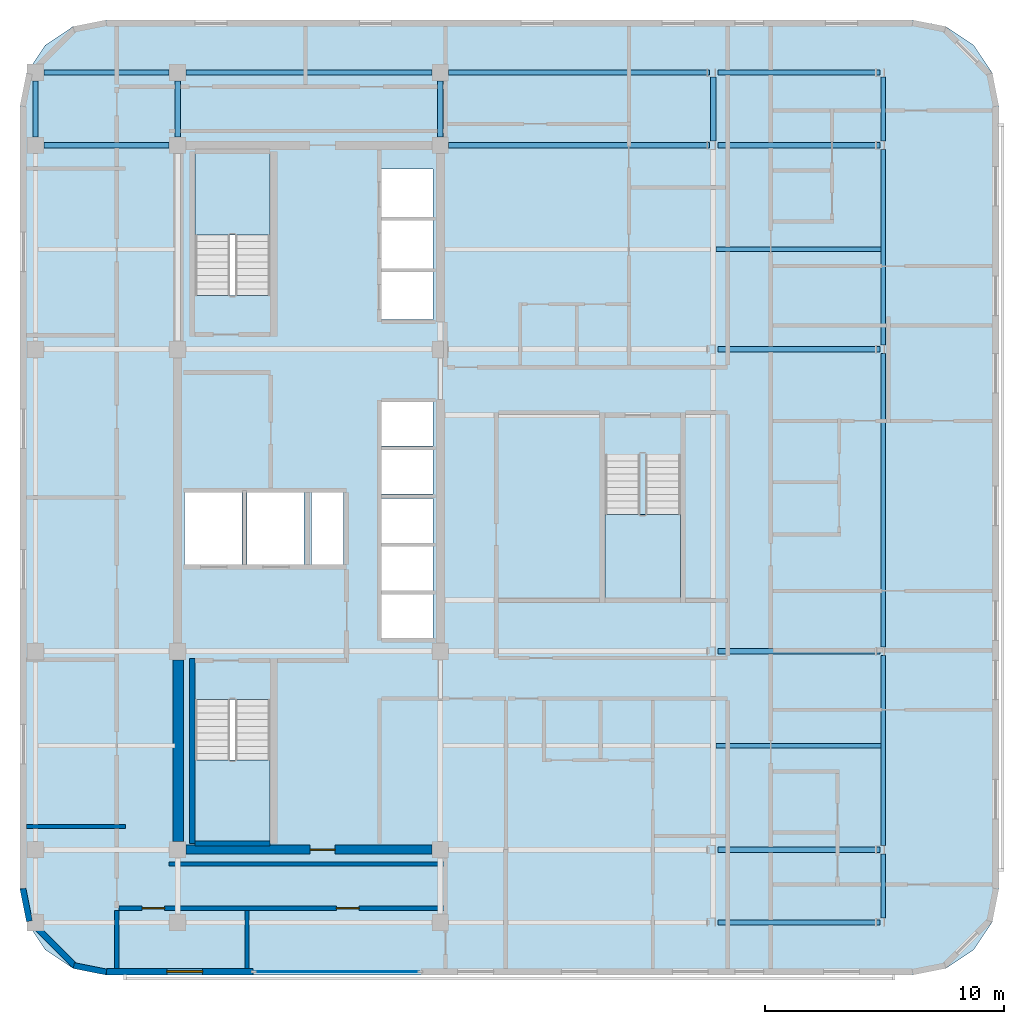
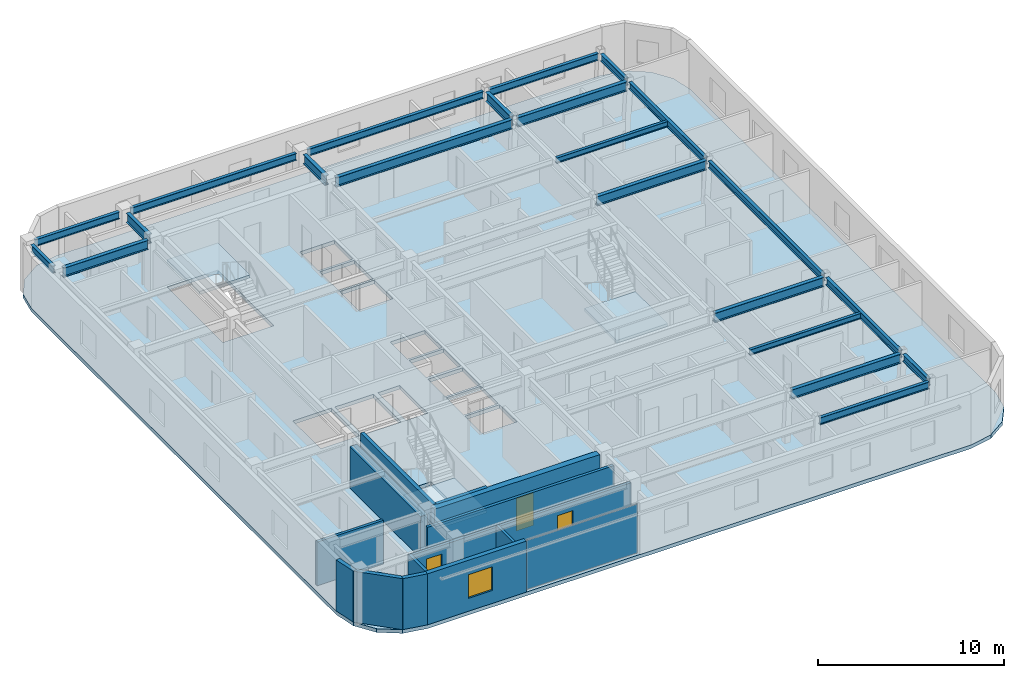
# One storey, part 3 of 11: 22 beams, 13 walls, 4 slabs, 3 doors, 1 plate, 1 window, 4 openings, 4 elements without a shape of their own.
"""IFC4 building model written with IfcOpenShell, lengths in metres."""

from ifc_helpers import new_model, si_unit, direction, frame, frame_2d, origin, origin_2d, place, context, subcontext, project, spatial, polyline, rectangle, i_section, outline, extrude, material, layer, layer_set, material_profile, profile_set, type_object, element, fill, aggregate, save


model = new_model("IFC4")

# Units and contexts
model_context = context("Model", 3, precision=1e-05, world=origin(), true_north=direction((0.0, 1.0)))
body_context = subcontext(model_context, "Body", "Model", "MODEL_VIEW")
ifc_project = project(units=[si_unit("LENGTHUNIT", "METRE"), si_unit("AREAUNIT", "SQUARE_METRE"), si_unit("VOLUMEUNIT", "CUBIC_METRE"), si_unit("PLANEANGLEUNIT", "RADIAN"), si_unit("MASSUNIT", "GRAM", prefix="KILO")], contexts=[model_context])

# Site, building, storey
site_placement = place(None, origin())
site = spatial("IfcSite", under=ifc_project, at=site_placement, CompositionType="ELEMENT")
building_placement = place(site_placement, origin())
building = spatial("IfcBuilding", under=site, at=building_placement, Name="Ochreholt Gables", CompositionType="ELEMENT")
storey_placement = place(building_placement, frame((0.0, 0.0, 188.39990234375)))
storey = spatial("IfcBuildingStorey", under=building, at=storey_placement, Name="L49", CompositionType="ELEMENT", Elevation=188.39990234375)

# Beams
ifc_material_1 = material(Name="Steel CSA G40.21 350W", Category="steel")
ifc_material_profile_1 = material_profile(ifc_material_1, i_section(OverallWidth=0.22900390625, OverallDepth=0.612060546875, WebThickness=0.011962890625, FlangeThickness=0.01953125, at=origin_2d()), Name="W610X125")
ifc_profile_set_1 = profile_set([ifc_material_profile_1], Name="Steel CSA G40.21 350W")
beam_type_1 = type_object("IfcBeamType", Name="BM-G-W610B", PredefinedType="BEAM", material=ifc_profile_set_1)
for number, where, z_axis, x_axis, name in (
    (1, (46.83349609375, 9.25, 3.044189453125), (1.0, 0.0, 0.0), (0.0, 1.0, 0.0), "L49 Beam TBG-L49-EMEE-Y2"),
    (2, (46.83349609375, 17.550048828125, 3.044189453125), (1.0, 0.0, 0.0), (0.0, 1.0, 0.0), "L49 Beam TBG-L49-EMEE-Y3"),
    (3, (46.83349609375, 30.199951171875, 3.044189453125), (1.0, 0.0, 0.0), (0.0, 1.0, 0.0), "L49 Beam TBG-L49-EMEE-Y4"),
):
    element("IfcBeam", number, at=place(storey_placement, frame(where, z_axis=z_axis, x_axis=x_axis)), inside=storey, type_object=beam_type_1, Name=name, PredefinedType="BEAM", context=body_context, shape_type="SweptSolid", body=[
        extrude(i_section(OverallWidth=0.22900390625, OverallDepth=0.612060546875, WebThickness=0.011962890625, FlangeThickness=0.01953125, at=origin_2d()), origin(), (0.0, 0.0, 1.0), 6.78173828125),
    ])
beam_1_placement = place(storey_placement, frame((18.599609375, 38.75, 3.044189453125), z_axis=(1.0, 0.0, 0.0), x_axis=(0.0, 1.0, 0.0)))
element("IfcBeam", 4, at=beam_1_placement, inside=storey, type_object=beam_type_1, Name="L49 Beam TBG-L49-W3C1-Y5", PredefinedType="BEAM", context=body_context, shape_type="SweptSolid", body=[
    extrude(i_section(OverallWidth=0.22900390625, OverallDepth=0.612060546875, WebThickness=0.011962890625, FlangeThickness=0.01953125, at=origin_2d()), origin(), (0.0, 0.0, 1.0), 5.250732421875),
])
beam_2_placement = place(storey_placement, frame((35.549560546875, 38.75, 3.044189453125), z_axis=(1.0, 0.0, 0.0), x_axis=(0.0, 1.0, 0.0)))
element("IfcBeam", 5, at=beam_2_placement, inside=storey, type_object=beam_type_1, Name="L49 Beam TBG-L49-C2EM-Y5", PredefinedType="BEAM", context=body_context, shape_type="SweptSolid", body=[
    extrude(i_section(OverallWidth=0.22900390625, OverallDepth=0.612060546875, WebThickness=0.011962890625, FlangeThickness=0.01953125, at=origin_2d()), origin(), (0.0, 0.0, 1.0), 10.928955078125),
])
beam_3_placement = place(storey_placement, frame((46.83349609375, 38.75, 3.044189453125), z_axis=(1.0, 0.0, 0.0), x_axis=(0.0, 1.0, 0.0)))
element("IfcBeam", 6, at=beam_3_placement, inside=storey, type_object=beam_type_1, Name="L49 Beam TBG-L49-EMEE-Y5", PredefinedType="BEAM", context=body_context, shape_type="SweptSolid", body=[
    extrude(i_section(OverallWidth=0.22900390625, OverallDepth=0.612060546875, WebThickness=0.011962890625, FlangeThickness=0.01953125, at=origin_2d()), origin(), (0.0, 0.0, 1.0), 6.78173828125),
])
for number, where, z_axis, x_axis, name in (
    (7, (24.199951171875, 39.099609375, 3.044189453125), (0.0, 1.0, 0.0), (-1.0, 0.0, 0.0), "L49 Beam TBN-L49-C1-Y5Y6"),
    (8, (35.199951171875, 39.099609375, 3.044189453125), (0.0, 1.0, 0.0), (-1.0, 0.0, 0.0), "L49 Beam TBN-L49-C2-Y5Y6"),
):
    element("IfcBeam", number, at=place(storey_placement, frame(where, z_axis=z_axis, x_axis=x_axis)), inside=storey, type_object=beam_type_1, Name=name, PredefinedType="BEAM", context=body_context, shape_type="SweptSolid", body=[
        extrude(i_section(OverallWidth=0.22900390625, OverallDepth=0.612060546875, WebThickness=0.011962890625, FlangeThickness=0.01953125, at=origin_2d()), origin(), (0.0, 0.0, 1.0), 2.350830078125),
    ])
beam_4_placement = place(storey_placement, frame((46.638427734375, 38.927490234375, 3.044189453125), z_axis=(0.0, 1.0, 0.0), x_axis=(-1.0, 0.0, 0.0)))
element("IfcBeam", 9, at=beam_4_placement, inside=storey, type_object=beam_type_1, Name="L49 Beam TBN-L49-EM-Y5Y6", PredefinedType="BEAM", context=body_context, shape_type="SweptSolid", body=[
    extrude(i_section(OverallWidth=0.22900390625, OverallDepth=0.612060546875, WebThickness=0.011962890625, FlangeThickness=0.01953125, at=origin_2d()), origin(), (0.0, 0.0, 1.0), 2.69482421875),
])
ifc_material_profile_2 = material_profile(ifc_material_1, i_section(OverallWidth=0.172119140625, OverallDepth=0.35791015625, WebThickness=0.0078125, FlangeThickness=0.01318359375, at=origin_2d()), Name="W360X57")
ifc_profile_set_2 = profile_set([ifc_material_profile_2], Name="Steel CSA G40.21 350W")
beam_type_2 = type_object("IfcBeamType", Name="BM-J-W360B", PredefinedType="JOIST", material=ifc_profile_set_2)
for number, where, z_axis, x_axis, name in (
    (10, (46.752685546875, 13.60009765625, 3.171142578125), (1.0, 0.0, 0.0), (0.0, 1.0, 0.0), "L49 Beam TBJ-L49-J1-EMEE"),
    (11, (46.752685546875, 34.39990234375, 3.171142578125), (1.0, 0.0, 0.0), (0.0, 1.0, 0.0), "L49 Beam TBJ-L49-J2-EMEE"),
):
    element("IfcBeam", number, at=place(storey_placement, frame(where, z_axis=z_axis, x_axis=x_axis)), inside=storey, type_object=beam_type_2, Name=name, PredefinedType="JOIST", context=body_context, shape_type="SweptSolid", body=[
        extrude(i_section(OverallWidth=0.172119140625, OverallDepth=0.35791015625, WebThickness=0.0078125, FlangeThickness=0.01318359375, at=origin_2d()), origin(), (0.0, 0.0, 1.0), 6.91552734375),
    ])
ifc_material_profile_3 = material_profile(ifc_material_1, i_section(OverallWidth=0.19189453125, OverallDepth=0.462890625, WebThickness=0.010498046875, FlangeThickness=0.017578125, at=origin_2d()), Name="W460X89")
ifc_profile_set_3 = profile_set([ifc_material_profile_3], Name="Steel CSA G40.21 350W")
beam_type_3 = type_object("IfcBeamType", Name="BM-SP-W460A", PredefinedType="SPANDREL", material=ifc_profile_set_3)
beam_5_placement = place(storey_placement, frame((46.83349609375, 6.199951171875, 3.11865234375), z_axis=(1.0, 0.0, 0.0), x_axis=(0.0, 1.0, 0.0)))
element("IfcBeam", 12, at=beam_5_placement, inside=storey, type_object=beam_type_3, Name="L49 Beam TBG-L49-EMEE-Y1", PredefinedType="SPANDREL", context=body_context, shape_type="SweptSolid", body=[
    extrude(i_section(OverallWidth=0.19189453125, OverallDepth=0.462890625, WebThickness=0.010498046875, FlangeThickness=0.017578125, at=origin_2d()), origin(), (0.0, 0.0, 1.0), 6.78173828125),
])
beam_6_placement = place(storey_placement, frame((18.599609375, 41.800048828125, 3.11865234375), z_axis=(1.0, 0.0, 0.0), x_axis=(0.0, 1.0, 0.0)))
element("IfcBeam", 13, at=beam_6_placement, inside=storey, type_object=beam_type_3, Name="L49 Beam TBG-L49-W3C1-Y6", PredefinedType="SPANDREL", context=body_context, shape_type="SweptSolid", body=[
    extrude(i_section(OverallWidth=0.19189453125, OverallDepth=0.462890625, WebThickness=0.010498046875, FlangeThickness=0.017578125, at=origin_2d()), origin(), (0.0, 0.0, 1.0), 5.250732421875),
])
beam_7_placement = place(storey_placement, frame((24.549560546875, 41.800048828125, 3.11865234375), z_axis=(1.0, 0.0, 0.0), x_axis=(0.0, 1.0, 0.0)))
element("IfcBeam", 14, at=beam_7_placement, inside=storey, type_object=beam_type_3, Name="L49 Beam TBG-L49-C1C2-Y6", PredefinedType="SPANDREL", context=body_context, shape_type="SweptSolid", body=[
    extrude(i_section(OverallWidth=0.19189453125, OverallDepth=0.462890625, WebThickness=0.010498046875, FlangeThickness=0.017578125, at=origin_2d()), origin(), (0.0, 0.0, 1.0), 10.30078125),
])
beam_8_placement = place(storey_placement, frame((35.549560546875, 41.800048828125, 3.11865234375), z_axis=(1.0, 0.0, 0.0), x_axis=(0.0, 1.0, 0.0)))
element("IfcBeam", 15, at=beam_8_placement, inside=storey, type_object=beam_type_3, Name="L49 Beam TBG-L49-C2EM-Y6", PredefinedType="SPANDREL", context=body_context, shape_type="SweptSolid", body=[
    extrude(i_section(OverallWidth=0.19189453125, OverallDepth=0.462890625, WebThickness=0.010498046875, FlangeThickness=0.017578125, at=origin_2d()), origin(), (0.0, 0.0, 1.0), 10.928955078125),
])
beam_9_placement = place(storey_placement, frame((46.83349609375, 41.800048828125, 3.11865234375), z_axis=(1.0, 0.0, 0.0), x_axis=(0.0, 1.0, 0.0)))
element("IfcBeam", 16, at=beam_9_placement, inside=storey, type_object=beam_type_3, Name="L49 Beam TBG-L49-EMEE-Y6", PredefinedType="SPANDREL", context=body_context, shape_type="SweptSolid", body=[
    extrude(i_section(OverallWidth=0.19189453125, OverallDepth=0.462890625, WebThickness=0.010498046875, FlangeThickness=0.017578125, at=origin_2d()), origin(), (0.0, 0.0, 1.0), 6.78173828125),
])
beam_10_placement = place(storey_placement, frame((18.25, 39.099609375, 3.11865234375), z_axis=(0.0, 1.0, 0.0), x_axis=(-1.0, 0.0, 0.0)))
element("IfcBeam", 17, at=beam_10_placement, inside=storey, type_object=beam_type_3, Name="L49 Beam TBN-L49-W3-Y5Y6", PredefinedType="SPANDREL", context=body_context, shape_type="SweptSolid", body=[
    extrude(i_section(OverallWidth=0.19189453125, OverallDepth=0.462890625, WebThickness=0.010498046875, FlangeThickness=0.017578125, at=origin_2d()), origin(), (0.0, 0.0, 1.0), 2.350830078125),
])
beam_11_placement = place(storey_placement, frame((53.763916015625, 6.377685546875, 3.11865234375), z_axis=(0.0, 1.0, 0.0), x_axis=(-1.0, 0.0, 0.0)))
element("IfcBeam", 18, at=beam_11_placement, inside=storey, type_object=beam_type_3, Name="L49 Beam TBN-L49-EE-Y1Y2", PredefinedType="SPANDREL", context=body_context, shape_type="SweptSolid", body=[
    extrude(i_section(OverallWidth=0.19189453125, OverallDepth=0.462890625, WebThickness=0.010498046875, FlangeThickness=0.017578125, at=origin_2d()), origin(), (0.0, 0.0, 1.0), 2.69482421875),
])
beam_12_placement = place(storey_placement, frame((53.763916015625, 9.427490234375, 3.11865234375), z_axis=(0.0, 1.0, 0.0), x_axis=(-1.0, 0.0, 0.0)))
element("IfcBeam", 19, at=beam_12_placement, inside=storey, type_object=beam_type_3, Name="L49 Beam TBN-L49-EE-Y2Y3", PredefinedType="SPANDREL", context=body_context, shape_type="SweptSolid", body=[
    extrude(i_section(OverallWidth=0.19189453125, OverallDepth=0.462890625, WebThickness=0.010498046875, FlangeThickness=0.017578125, at=origin_2d()), origin(), (0.0, 0.0, 1.0), 7.94482421875),
])
beam_13_placement = place(storey_placement, frame((53.763916015625, 17.7275390625, 3.11865234375), z_axis=(0.0, 1.0, 0.0), x_axis=(-1.0, 0.0, 0.0)))
element("IfcBeam", 20, at=beam_13_placement, inside=storey, type_object=beam_type_3, Name="L49 Beam TBN-L49-EE-Y3Y4", PredefinedType="SPANDREL", context=body_context, shape_type="SweptSolid", body=[
    extrude(i_section(OverallWidth=0.19189453125, OverallDepth=0.462890625, WebThickness=0.010498046875, FlangeThickness=0.017578125, at=origin_2d()), origin(), (0.0, 0.0, 1.0), 12.294921875),
])
beam_14_placement = place(storey_placement, frame((53.763916015625, 30.377685546875, 3.11865234375), z_axis=(0.0, 1.0, 0.0), x_axis=(-1.0, 0.0, 0.0)))
element("IfcBeam", 21, at=beam_14_placement, inside=storey, type_object=beam_type_3, Name="L49 Beam TBN-L49-EE-Y4Y5", PredefinedType="SPANDREL", context=body_context, shape_type="SweptSolid", body=[
    extrude(i_section(OverallWidth=0.19189453125, OverallDepth=0.462890625, WebThickness=0.010498046875, FlangeThickness=0.017578125, at=origin_2d()), origin(), (0.0, 0.0, 1.0), 8.19482421875),
])
beam_15_placement = place(storey_placement, frame((53.763916015625, 38.927490234375, 3.11865234375), z_axis=(0.0, 1.0, 0.0), x_axis=(-1.0, 0.0, 0.0)))
element("IfcBeam", 22, at=beam_15_placement, inside=storey, type_object=beam_type_3, Name="L49 Beam TBN-L49-EE-Y5Y6", PredefinedType="SPANDREL", context=body_context, shape_type="SweptSolid", body=[
    extrude(i_section(OverallWidth=0.19189453125, OverallDepth=0.462890625, WebThickness=0.010498046875, FlangeThickness=0.017578125, at=origin_2d()), origin(), (0.0, 0.0, 1.0), 2.69482421875),
])

# Curtain wall, plate
ifc_material_2 = material(Name="Unitised Aluminium and Triple Glazing", Category="aluminium")
ifc_layer_1 = layer(ifc_material_2, 0.199951171875, Name="Unitised Aluminium and Triple Glazing")
ifc_layer_set_1 = layer_set([ifc_layer_1], Name="Unitised Aluminium and Triple Glazing")
curtain_wall_type = type_object("IfcCurtainWallType", Name="CW-SYS4", PredefinedType="NOTDEFINED", material=ifc_layer_set_1)
curtain_wall_placement = place(storey_placement, origin())
curtain_wall = element("IfcCurtainWall", 23, at=curtain_wall_placement, inside=storey, type_object=curtain_wall_type, Name="L49 South Unitised Curtain Wall", PredefinedType="NOTDEFINED")
ifc_material_3 = material(Name="Triple Low-E Insulating Glass", Category="glass")
ifc_layer_2 = layer(ifc_material_3, 0.035888671875, Name="Triple Low-E Insulating Glass")
ifc_layer_set_2 = layer_set([ifc_layer_2], Name="Triple Low-E Insulating Glass")
plate_type = type_object("IfcPlateType", Name="CW-PNL-36", PredefinedType="CURTAIN_PANEL", material=ifc_layer_set_2)
plate_placement = place(storey_placement, frame((30.875, 4.139892578125, 0.06494140625), z_axis=(0.0, 0.0, 1.0), x_axis=(1.0, 0.0, 0.0)))
plate = element("IfcPlate", 24, at=plate_placement, type_object=plate_type, Name="CW-4 panel 1.1", PredefinedType="CURTAIN_PANEL", context=body_context, shape_type="SweptSolid", body=[
    extrude(rectangle(XDim=6.89990234375, YDim=0.035888671875, at=origin_2d()), origin(), (0.0, 0.0, 1.0), 3.219970703125),
])
aggregate(curtain_wall, [plate])

# Stair, slab
ifc_material_4 = material(Name="Concrete 40 MPa", Category="concrete")
stair_type_1 = type_object("IfcStairType", Name="STAIR-CORE-ST-1", PredefinedType="HALF_TURN_STAIR", material=ifc_material_4)
stair_1_placement = place(storey_placement, origin())
stair_1 = element("IfcStair", 25, at=stair_1_placement, inside=storey, type_object=stair_type_1, Name="L49 Core Exit Stair 1", PredefinedType="HALF_TURN_STAIR")
ifc_layer_3 = layer(ifc_material_4, 0.199951171875, Name="Concrete 40 MPa")
ifc_layer_set_3 = layer_set([ifc_layer_3], Name="Concrete 40 MPa")
slab_type_1 = type_object("IfcSlabType", Name="LANDING-RC200", PredefinedType="LANDING", material=ifc_layer_set_3)
slab_1_placement = place(storey_placement, frame((0.0, 0.0, 1.60009765625)))
slab_1 = element("IfcSlab", 26, at=slab_1_placement, type_object=slab_type_1, Name="ST-1 landing 1", PredefinedType="LANDING", context=body_context, shape_type="SweptSolid", body=[
    extrude(outline(polyline([(24.919921875, 13.001953125), (24.919921875, 9.52001953125), (28.080078125, 9.52001953125), (28.080078125, 13.001953125), (24.919921875, 13.001953125)])), origin(), (0.0, 0.0, 1.0), 0.199951171875),
])
aggregate(stair_1, [slab_1])

stair_type_2 = type_object("IfcStairType", Name="STAIR-CORE-ST-2", PredefinedType="HALF_TURN_STAIR", material=ifc_material_4)
stair_2_placement = place(storey_placement, origin())
stair_2 = element("IfcStair", 27, at=stair_2_placement, inside=storey, type_object=stair_type_2, Name="L49 Core Exit Stair 2", PredefinedType="HALF_TURN_STAIR")
slab_2_placement = place(storey_placement, frame((0.0, 0.0, 1.60009765625)))
slab_2 = element("IfcSlab", 28, at=slab_2_placement, type_object=slab_type_1, Name="ST-2 landing 1", PredefinedType="LANDING", context=body_context, shape_type="SweptSolid", body=[
    extrude(outline(polyline([(28.080078125, 34.998046875), (28.080078125, 38.47998046875), (24.919921875, 38.47998046875), (24.919921875, 34.998046875), (28.080078125, 34.998046875)])), origin(), (0.0, 0.0, 1.0), 0.199951171875),
])
aggregate(stair_2, [slab_2])

stair_type_3 = type_object("IfcStairType", Name="STAIR-CORE-ST-C5", PredefinedType="HALF_TURN_STAIR", material=ifc_material_4)
stair_3_placement = place(storey_placement, origin())
stair_3 = element("IfcStair", 29, at=stair_3_placement, inside=storey, type_object=stair_type_3, Name="L49 Community Feature Stair ST-C5", PredefinedType="HALF_TURN_STAIR")
slab_3_placement = place(storey_placement, frame((0.0, 0.0, 1.60009765625)))
slab_3 = element("IfcSlab", 30, at=slab_3_placement, type_object=slab_type_1, Name="ST-C5 landing 1", PredefinedType="LANDING", context=body_context, shape_type="SweptSolid", body=[
    extrude(outline(polyline([(42.10009765625, 23.281982421875), (42.10009765625, 19.800048828125), (45.260009765625, 19.800048828125), (45.260009765625, 23.281982421875), (42.10009765625, 23.281982421875)])), origin(), (0.0, 0.0, 1.0), 0.199951171875),
])
aggregate(stair_3, [slab_3])

# Slab
ifc_layer_4 = layer(ifc_material_4, 0.239990234375, Name="Concrete 40 MPa")
ifc_layer_set_4 = layer_set([ifc_layer_4], Name="Concrete 40 MPa")
slab_type_2 = type_object("IfcSlabType", Name="SLAB-TWR-240", PredefinedType="FLOOR", material=ifc_layer_set_4)
slab_4_placement = place(storey_placement, frame((0.0, 0.0, -0.239990234375)))
element("IfcSlab", 31, at=slab_4_placement, inside=storey, type_object=slab_type_2, Name="L49 Structural Floor Slab", PredefinedType="FLOOR", context=body_context, shape_type="SweptSolid", body=[
    extrude(outline(polyline([(17.60009765625, 7.60009765625), (17.8740234375, 6.222412109375), (18.654296875, 5.054443359375), (19.822265625, 4.27392578125), (21.199951171875, 4.0), (55.0, 4.0), (56.377685546875, 4.27392578125), (57.545654296875, 5.054443359375), (58.325927734375, 6.222412109375), (58.60009765625, 7.60009765625), (58.60009765625, 40.39990234375), (58.325927734375, 41.777587890625), (57.545654296875, 42.945556640625), (56.377685546875, 43.72607421875), (55.0, 44.0), (21.199951171875, 44.0), (19.822265625, 43.72607421875), (18.654296875, 42.945556640625), (17.8740234375, 41.777587890625), (17.60009765625, 40.39990234375), (17.60009765625, 7.60009765625)]), holes=[polyline([(24.919921875, 15.539306640625), (24.919921875, 9.52001953125), (28.080078125, 9.52001953125), (28.080078125, 15.539306640625), (24.919921875, 15.539306640625)]), polyline([(28.080078125, 32.460693359375), (28.080078125, 38.47998046875), (24.919921875, 38.47998046875), (24.919921875, 32.460693359375), (28.080078125, 32.460693359375)]), polyline([(24.5, 21.199951171875), (26.89990234375, 21.199951171875), (26.89990234375, 24.199951171875), (24.5, 24.199951171875), (24.5, 21.199951171875)]), polyline([(27.10009765625, 21.199951171875), (29.5, 21.199951171875), (29.5, 24.199951171875), (27.10009765625, 24.199951171875), (27.10009765625, 21.199951171875)]), polyline([(32.75, 18.10009765625), (34.89990234375, 18.10009765625), (34.89990234375, 19.949951171875), (32.75, 19.949951171875), (32.75, 18.10009765625)]), polyline([(32.75, 20.10009765625), (34.89990234375, 20.10009765625), (34.89990234375, 21.949951171875), (32.75, 21.949951171875), (32.75, 20.10009765625)]), polyline([(32.75, 22.10009765625), (34.89990234375, 22.10009765625), (34.89990234375, 23.949951171875), (32.75, 23.949951171875), (32.75, 22.10009765625)]), polyline([(32.75, 24.14990234375), (34.89990234375, 24.14990234375), (34.89990234375, 26.0), (32.75, 26.0), (32.75, 24.14990234375)]), polyline([(32.75, 26.14990234375), (34.89990234375, 26.14990234375), (34.89990234375, 28.0), (32.75, 28.0), (32.75, 26.14990234375)]), polyline([(32.75, 31.449951171875), (34.89990234375, 31.449951171875), (34.89990234375, 33.449951171875), (32.75, 33.449951171875), (32.75, 31.449951171875)]), polyline([(32.75, 33.60009765625), (34.89990234375, 33.60009765625), (34.89990234375, 35.60009765625), (32.75, 35.60009765625), (32.75, 33.60009765625)]), polyline([(32.75, 35.75), (34.89990234375, 35.75), (34.89990234375, 37.75), (32.75, 37.75), (32.75, 35.75)]), polyline([(29.800048828125, 21.199951171875), (31.14990234375, 21.199951171875), (31.14990234375, 24.199951171875), (29.800048828125, 24.199951171875), (29.800048828125, 21.199951171875)])]), origin(), (0.0, 0.0, 1.0), 0.239990234375),
])

# Wall, opening, door
ifc_material_5 = material(Name="Concrete 50 MPa", Category="concrete")
ifc_layer_5 = layer(ifc_material_5, 0.3798828125, Name="Concrete 50 MPa")
ifc_layer_set_5 = layer_set([ifc_layer_5], Name="Concrete 50 MPa")
wall_type_1 = type_object("IfcWallType", Name="WALL-CSW-380", PredefinedType="SHEAR", material=ifc_layer_set_5)
wall_1_placement = place(storey_placement, frame((24.550048828125, 9.25, 0.0), z_axis=(0.0, 0.0, 1.0), x_axis=(1.0, 0.0, 0.0)))
wall_1 = element("IfcWall", 32, at=wall_1_placement, inside=storey, type_object=wall_type_1, Name="L49 Core South Shear Wall", PredefinedType="SHEAR", context=body_context, shape_type="SweptSolid", body=[
    extrude(rectangle(XDim=10.300048828125, YDim=0.3798828125, at=frame_2d((5.14990234375, 0.0))), origin(), (0.0, 0.0, 1.0), 3.35009765625),
])
opening_1_placement = place(wall_1_placement, frame((5.199951171875, 0.0, 0.0)))
opening_1 = element("IfcOpeningElement", 33, at=opening_1_placement, cuts=wall_1, Name="Opening D-FLB", PredefinedType="OPENING", context=body_context, shape_type="SweptSolid", body=[
    extrude(rectangle(XDim=1.050048828125, YDim=2.14990234375, at=frame_2d((0.52490234375, 1.074951171875))), frame((0.0, 0.199951171875, 0.0), z_axis=(0.0, -1.0, 0.0), x_axis=(1.0, 0.0, 0.0)), (0.0, 0.0, 1.0), 0.39990234375),
])
ifc_material_6 = material(Name="Hollow Metal Steel", Category="steel")
door_type_1 = type_object("IfcDoorType", Name="DR-INT-FLB1050", OperationType="NOTDEFINED", PredefinedType="DOOR", material=ifc_material_6)
door_1_placement = place(opening_1_placement, origin())
door_1 = element("IfcDoor", 34, at=door_1_placement, inside=storey, type_object=door_type_1, Name="L49 Door D-C2CRS-L49", OperationType="SINGLE_SWING_LEFT", OverallHeight=2.14990234375, OverallWidth=1.050048828125, PredefinedType="DOOR", context=body_context, shape_type="SweptSolid", body=[
    extrude(rectangle(XDim=1.050048828125, YDim=2.14990234375, at=frame_2d((0.52490234375, 1.074951171875))), frame((0.0, 0.02490234375, 0.0), z_axis=(0.0, -1.0, 0.0), x_axis=(1.0, 0.0, 0.0)), (0.0, 0.0, 1.0), 0.050048828125),
])
fill(opening_1, door_1)

# Wall
ifc_material_7 = material(Name="Concrete 60 MPa", Category="concrete")
ifc_layer_6 = layer(ifc_material_7, 0.449951171875, Name="Concrete 60 MPa")
ifc_layer_set_6 = layer_set([ifc_layer_6], Name="Concrete 60 MPa")
wall_type_2 = type_object("IfcWallType", Name="WALL-CSW-450", PredefinedType="SHEAR", material=ifc_layer_set_6)
wall_2_placement = place(storey_placement, frame((24.22509765625, 9.60009765625, 0.0), z_axis=(0.0, 0.0, 1.0), x_axis=(0.0, 1.0, 0.0)))
element("IfcWall", 35, at=wall_2_placement, inside=storey, type_object=wall_type_2, Name="L49 Core West Shear Wall WS", PredefinedType="SHEAR", context=body_context, shape_type="SweptSolid", body=[
    extrude(rectangle(XDim=7.599853515625, YDim=0.449951171875, at=frame_2d((3.7998046875, 0.0))), origin(), (0.0, 0.0, 1.0), 2.738037109375),
])

# Wall, opening, window
ifc_material_8 = material(Name="Precast concrete 40 MPa", Category="concrete")
ifc_layer_7 = layer(ifc_material_8, 0.280029296875, Name="Precast concrete 40 MPa")
ifc_layer_set_7 = layer_set([ifc_layer_7], Name="Precast concrete 40 MPa")
wall_type_3 = type_object("IfcWallType", Name="WALL-EXT-280", PredefinedType="SOLIDWALL", material=ifc_layer_set_7)
wall_3_placement = place(storey_placement, frame((21.219970703125, 4.139892578125, 0.0), z_axis=(0.0, 0.0, 1.0), x_axis=(1.0, 0.0, 0.0)))
wall_3 = element("IfcWall", 36, at=wall_3_placement, inside=storey, type_object=wall_type_3, Name="L49 South Facade Wall 1", PredefinedType="SOLIDWALL", context=body_context, shape_type="SweptSolid", body=[
    extrude(rectangle(XDim=6.130126953125, YDim=0.280029296875, at=frame_2d((3.06494140625, 0.0))), origin(), (0.0, 0.0, 1.0), 3.35009765625),
])
opening_2_placement = place(wall_3_placement, frame((2.530029296875, 0.0, 0.85009765625)))
opening_2 = element("IfcOpeningElement", 37, at=opening_2_placement, cuts=wall_3, Name="Opening WN-2", PredefinedType="OPENING", context=body_context, shape_type="SweptSolid", body=[
    extrude(rectangle(XDim=1.5, YDim=1.550048828125, at=frame_2d((0.75, 0.77490234375))), frame((0.0, 0.14990234375, 0.0), z_axis=(0.0, -1.0, 0.0), x_axis=(1.0, 0.0, 0.0)), (0.0, 0.0, 1.0), 0.300048828125),
])
ifc_material_9 = material(Name="Triple-Glazed Thermally Broken Aluminium Window", Category="aluminium")
window_type = type_object("IfcWindowType", Name="WIN-RES-1500", PartitioningType="SINGLE_PANEL", PredefinedType="WINDOW", material=ifc_material_9)
window_placement = place(opening_2_placement, origin())
window = element("IfcWindow", 38, at=window_placement, inside=storey, type_object=window_type, Name="L49 Window W-EXT-S1-L49-1", OverallHeight=1.550048828125, OverallWidth=1.5, PartitioningType="SINGLE_PANEL", PredefinedType="WINDOW", context=body_context, shape_type="SweptSolid", body=[
    extrude(rectangle(XDim=1.5, YDim=1.550048828125, at=frame_2d((0.75, 0.77490234375))), frame((0.0, 0.030029296875, 0.0), z_axis=(0.0, -1.0, 0.0), x_axis=(1.0, 0.0, 0.0)), (0.0, 0.0, 1.0), 0.06005859375),
])
fill(opening_2, window)

# Walls
ifc_layer_8 = layer(ifc_material_8, 0.25, Name="Precast concrete 40 MPa")
ifc_layer_set_8 = layer_set([ifc_layer_8], Name="Precast concrete 40 MPa")
wall_type_4 = type_object("IfcWallType", Name="WALL-EXT-CNR", PredefinedType="SOLIDWALL", material=ifc_layer_set_8)
wall_4_placement = place(storey_placement, frame((17.72412109375, 7.616455078125, 0.0), z_axis=(0.0, 0.0, 1.0), x_axis=(0.195135625965, -0.9807762678, 0.0)))
element("IfcWall", 39, at=wall_4_placement, inside=storey, type_object=wall_type_4, Name="L49 Rounded Corner Wall SW-1", PredefinedType="SOLIDWALL", context=body_context, shape_type="SweptSolid", body=[
    extrude(rectangle(XDim=1.388671875, YDim=0.25, at=frame_2d((0.6943359375, 0.0))), origin(), (0.0, 0.0, 1.0), 3.35009765625),
])
wall_5_placement = place(storey_placement, frame((17.968017578125, 6.304931640625, 0.0), z_axis=(0.0, 0.0, 1.0), x_axis=(0.707106781187, -0.707106781187, 0.0)))
element("IfcWall", 40, at=wall_5_placement, inside=storey, type_object=wall_type_4, Name="L49 Rounded Corner Wall SW-2", PredefinedType="SOLIDWALL", context=body_context, shape_type="SweptSolid", body=[
    extrude(rectangle(XDim=2.7392578125, YDim=0.25, at=frame_2d((1.36962890625, 0.0))), origin(), (0.0, 0.0, 1.0), 3.35009765625),
])
wall_6_placement = place(storey_placement, frame((19.8544921875, 4.39501953125, 0.0), z_axis=(0.0, 0.0, 1.0), x_axis=(0.980809899341, -0.19496651342, 0.0)))
element("IfcWall", 41, at=wall_6_placement, inside=storey, type_object=wall_type_4, Name="L49 Rounded Corner Wall SW-3", PredefinedType="SOLIDWALL", context=body_context, shape_type="SweptSolid", body=[
    extrude(rectangle(XDim=1.388671875, YDim=0.25, at=frame_2d((0.6943359375, 0.0))), origin(), (0.0, 0.0, 1.0), 3.35009765625),
])

# Wall, openings, doors
ifc_material_10 = material(Name="Fire-Rated Gypsum Acoustic Partition", Category="gypsum")
ifc_layer_9 = layer(ifc_material_10, 0.179931640625, Name="Fire-Rated Gypsum Acoustic Partition")
ifc_layer_set_9 = layer_set([ifc_layer_9], Name="Fire-Rated Gypsum Acoustic Partition")
wall_type_5 = type_object("IfcWallType", Name="WALL-INT-CR180", PredefinedType="STANDARD", material=ifc_layer_set_9)
wall_7_placement = place(storey_placement, frame((21.739990234375, 6.800048828125, 0.0), z_axis=(0.0, 0.0, 1.0), x_axis=(1.0, 0.0, 0.0)))
wall_7 = element("IfcWall", 42, at=wall_7_placement, inside=storey, type_object=wall_type_5, Name="L49 Interior Wall WI-C2WCS-L49", PredefinedType="STANDARD", context=body_context, shape_type="SweptSolid", body=[
    extrude(rectangle(XDim=13.679931640625, YDim=0.179931640625, at=frame_2d((6.83984375, 0.0))), origin(), (0.0, 0.0, 1.0), 2.72021484375),
])
opening_3_placement = place(wall_7_placement, frame((0.969970703125, 0.0, 0.0)))
opening_3 = element("IfcOpeningElement", 43, at=opening_3_placement, cuts=wall_7, Name="Opening D-GN1", PredefinedType="OPENING", context=body_context, shape_type="SweptSolid", body=[
    extrude(rectangle(XDim=0.949951171875, YDim=2.14990234375, at=frame_2d((0.47509765625, 1.074951171875))), frame((0.0, 0.099853515625, 0.0), z_axis=(0.0, -1.0, 0.0), x_axis=(1.0, 0.0, 0.0)), (0.0, 0.0, 1.0), 0.199951171875),
])
opening_4_placement = place(wall_7_placement, frame((9.110107421875, 0.0, 0.0)))
opening_4 = element("IfcOpeningElement", 44, at=opening_4_placement, cuts=wall_7, Name="Opening D-GN1", PredefinedType="OPENING", context=body_context, shape_type="SweptSolid", body=[
    extrude(rectangle(XDim=0.949951171875, YDim=2.14990234375, at=frame_2d((0.47509765625, 1.074951171875))), frame((0.0, 0.099853515625, 0.0), z_axis=(0.0, -1.0, 0.0), x_axis=(1.0, 0.0, 0.0)), (0.0, 0.0, 1.0), 0.199951171875),
])
ifc_material_11 = material(Name="Engineered Oak Timber", Category="wood")
door_type_2 = type_object("IfcDoorType", Name="DR-INT-GEN950", OperationType="NOTDEFINED", PredefinedType="DOOR", material=ifc_material_11)
door_2_placement = place(opening_3_placement, origin())
door_2 = element("IfcDoor", 45, at=door_2_placement, inside=storey, type_object=door_type_2, Name="L49 Door D-C2STL1-L49", OperationType="SINGLE_SWING_LEFT", OverallHeight=2.14990234375, OverallWidth=0.949951171875, PredefinedType="DOOR", context=body_context, shape_type="SweptSolid", body=[
    extrude(rectangle(XDim=0.949951171875, YDim=2.14990234375, at=frame_2d((0.47509765625, 1.074951171875))), frame((0.0, 0.02490234375, 0.0), z_axis=(0.0, -1.0, 0.0), x_axis=(1.0, 0.0, 0.0)), (0.0, 0.0, 1.0), 0.050048828125),
])
fill(opening_3, door_2)
door_3_placement = place(opening_4_placement, origin())
door_3 = element("IfcDoor", 46, at=door_3_placement, inside=storey, type_object=door_type_2, Name="L49 Door D-C2STL2-L49", OperationType="SINGLE_SWING_RIGHT", OverallHeight=2.14990234375, OverallWidth=0.949951171875, PredefinedType="DOOR", context=body_context, shape_type="SweptSolid", body=[
    extrude(rectangle(XDim=0.949951171875, YDim=2.14990234375, at=frame_2d((0.47509765625, 1.074951171875))), frame((0.0, 0.02490234375, 0.0), z_axis=(0.0, -1.0, 0.0), x_axis=(1.0, 0.0, 0.0)), (0.0, 0.0, 1.0), 0.050048828125),
])
fill(opening_4, door_3)

# Walls
wall_8_placement = place(storey_placement, frame((23.85009765625, 8.64990234375, 0.0), z_axis=(0.0, 0.0, 1.0), x_axis=(1.0, 0.0, 0.0)))
element("IfcWall", 47, at=wall_8_placement, inside=storey, type_object=wall_type_5, Name="L49 Interior Wall WI-C2WCS2-L49", PredefinedType="STANDARD", context=body_context, shape_type="SweptSolid", body=[
    extrude(rectangle(XDim=11.56982421875, YDim=0.179931640625, at=frame_2d((5.784912109375, 0.0))), origin(), (0.0, 0.0, 1.0), 2.72021484375),
])
ifc_material_12 = material(Name="Double-Stud Acoustic Demising Wall", Category="gypsum")
ifc_layer_10 = layer(ifc_material_12, 0.179931640625, Name="Double-Stud Acoustic Demising Wall")
ifc_layer_set_10 = layer_set([ifc_layer_10], Name="Double-Stud Acoustic Demising Wall")
wall_type_6 = type_object("IfcWallType", Name="WALL-INT-DM180", PredefinedType="PARTITIONING", material=ifc_layer_set_10)
wall_9_placement = place(storey_placement, frame((21.64990234375, 4.280029296875, 0.0), z_axis=(0.0, 0.0, 1.0), x_axis=(0.0, 1.0, 0.0)))
element("IfcWall", 48, at=wall_9_placement, inside=storey, type_object=wall_type_6, Name="L49 Interior Wall WI-C2WWS-L49", PredefinedType="PARTITIONING", context=body_context, shape_type="SweptSolid", body=[
    extrude(rectangle(XDim=2.429931640625, YDim=0.179931640625, at=frame_2d((1.21484375, 0.0))), origin(), (0.0, 0.0, 1.0), 2.869140625),
])
ifc_material_13 = material(Name="Gypsum Acoustic Stud Partition", Category="gypsum")
ifc_layer_11 = layer(ifc_material_13, 0.1650390625, Name="Gypsum Acoustic Stud Partition")
ifc_layer_set_11 = layer_set([ifc_layer_11], Name="Gypsum Acoustic Stud Partition")
wall_type_7 = type_object("IfcWallType", Name="WALL-INT-PT165", PredefinedType="PARTITIONING", material=ifc_layer_set_11)
wall_10_placement = place(storey_placement, frame((17.8798828125, 10.22509765625, 0.0), z_axis=(0.0, 0.0, 1.0), x_axis=(1.0, 0.0, 0.0)))
element("IfcWall", 49, at=wall_10_placement, inside=storey, type_object=wall_type_7, Name="L49 Interior Wall WU-L49W1-SDV", PredefinedType="PARTITIONING", context=body_context, shape_type="SweptSolid", body=[
    extrude(rectangle(XDim=4.130126953125, YDim=0.1650390625, at=frame_2d((2.06494140625, 0.0))), origin(), (0.0, 0.0, 1.0), 2.869140625),
])
wall_11_placement = place(storey_placement, frame((27.10009765625, 4.280029296875, 0.0), z_axis=(0.0, 0.0, 1.0), x_axis=(0.0, 1.0, 0.0)))
element("IfcWall", 50, at=wall_11_placement, inside=storey, type_object=wall_type_7, Name="L49 Interior Wall WI-C2PKS-L49", PredefinedType="PARTITIONING", context=body_context, shape_type="SweptSolid", body=[
    extrude(rectangle(XDim=2.429931640625, YDim=0.1650390625, at=frame_2d((1.21484375, 0.0))), origin(), (0.0, 0.0, 1.0), 2.869140625),
])
ifc_layer_12 = layer(ifc_material_5, 0.219970703125, Name="Concrete 50 MPa")
ifc_layer_set_12 = layer_set([ifc_layer_12], Name="Concrete 50 MPa")
wall_type_8 = type_object("IfcWallType", Name="WALL-STW-220", PredefinedType="SHEAR", material=ifc_layer_set_12)
wall_12_placement = place(storey_placement, frame((24.81005859375, 9.5, 0.0), z_axis=(0.0, 0.0, 1.0), x_axis=(0.0, 1.0, 0.0)))
element("IfcWall", 51, at=wall_12_placement, inside=storey, type_object=wall_type_8, Name="L49 Exit Stair 1 West Wall", PredefinedType="SHEAR", context=body_context, shape_type="SweptSolid", body=[
    extrude(rectangle(XDim=7.760009765625, YDim=0.219970703125, at=frame_2d((3.8798828125, 0.0))), origin(), (0.0, 0.0, 1.0), 3.35009765625),
])
wall_13_placement = place(storey_placement, frame((24.919921875, 9.510009765625, 0.0), z_axis=(0.0, 0.0, 1.0), x_axis=(1.0, 0.0, 0.0)))
element("IfcWall", 52, at=wall_13_placement, inside=storey, type_object=wall_type_8, Name="L49 Exit Stair 1 South Wall", PredefinedType="SHEAR", context=body_context, shape_type="SweptSolid", body=[
    extrude(rectangle(XDim=3.16015625, YDim=0.219970703125, at=frame_2d((1.580078125, 0.0))), origin(), (0.0, 0.0, 1.0), 3.35009765625),
])

save(model, "model.ifc")
